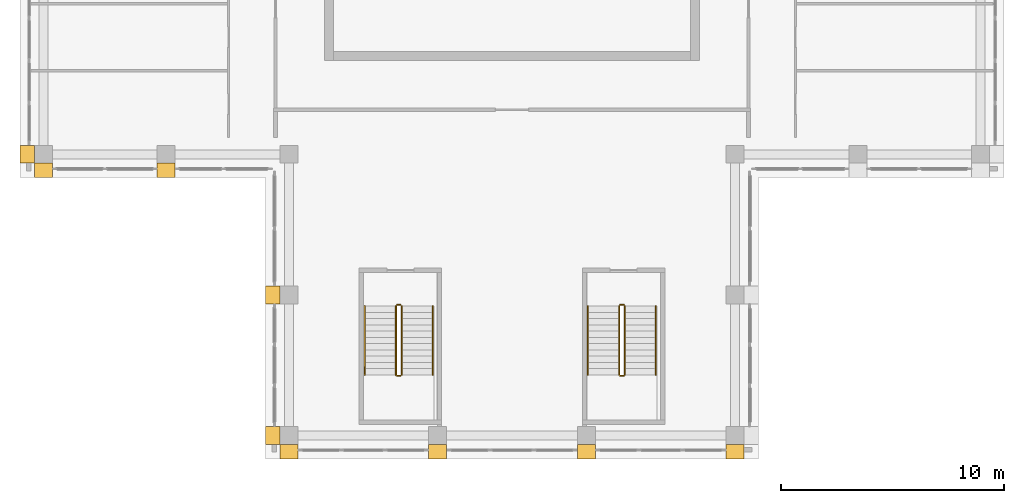
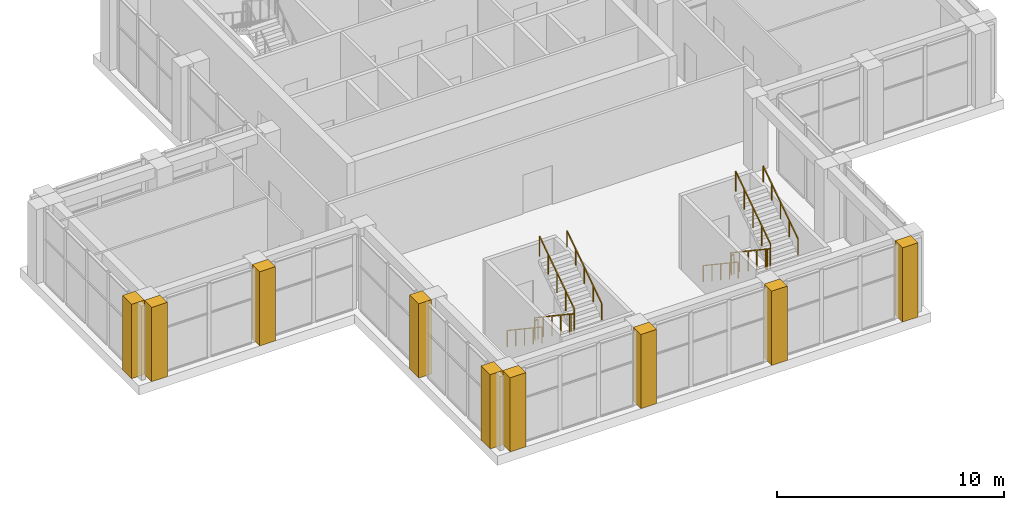
# One storey, part 12 of 14: 10 railings, 9 coverings.
"""IFC4 building model written with IfcOpenShell, lengths in metres."""

from ifc_helpers import new_model, si_unit, direction, frame, origin, origin_2d, place, context, subcontext, project, spatial, polyline, rectangle, outline, extrude, material, type_object, element, save


model = new_model("IFC4")

# Units and contexts
model_context = context("Model", 3, precision=1e-05, world=origin(), true_north=direction((0.0, 1.0)))
body_context = subcontext(model_context, "Body", "Model", "MODEL_VIEW")
ifc_project = project(units=[si_unit("LENGTHUNIT", "METRE"), si_unit("AREAUNIT", "SQUARE_METRE"), si_unit("VOLUMEUNIT", "CUBIC_METRE"), si_unit("PLANEANGLEUNIT", "RADIAN"), si_unit("MASSUNIT", "GRAM", prefix="KILO")], contexts=[model_context])

# Site, building, storey
site_placement = place(None, origin())
site = spatial("IfcSite", under=ifc_project, at=site_placement, CompositionType="ELEMENT")
building_placement = place(site_placement, origin())
building = spatial("IfcBuilding", under=site, at=building_placement, Name="Vermilion Ogive Tower", CompositionType="ELEMENT")
storey_placement = place(building_placement, frame((0.0, 0.0, 289.35009765625)))
storey = spatial("IfcBuildingStorey", under=building, at=storey_placement, Name="L75", CompositionType="ELEMENT", Elevation=289.35009765625)

# Railings
ifc_material_1 = material(Name="Steel S355 painted", Category="steel")
railing_type_1 = type_object("IfcRailingType", Name="Stair guard 1100", PredefinedType="GUARDRAIL", material=ifc_material_1)
railing_1_placement = place(storey_placement, frame((4.800048828125, -6.800048828125, 0.1875)))
element("IfcRailing", 1, at=railing_1_placement, inside=storey, type_object=railing_type_1, Name="L75 ST6 stair guard 1", PredefinedType="GUARDRAIL", context=body_context, shape_type="SweptSolid", body=[
    extrude(rectangle(XDim=0.048095703125, YDim=0.048095703125, at=origin_2d()), frame((0.0, 0.0, 1.076171875), z_axis=(0.0, -0.830893310487, 0.556431762742), x_axis=(1.0, 0.0, 0.0)), (0.0, 0.0, 1.0), 3.70654296875),
    extrude(rectangle(XDim=0.048095703125, YDim=0.048095703125, at=origin_2d()), frame((0.0, -3.079833984375, 3.138671875), z_axis=(0.707106781187, -0.707106781187, 0.0), x_axis=(0.707106781187, 0.707106781187, 0.0)), (0.0, 0.0, 1.0), 0.07080078125),
    extrude(rectangle(XDim=0.048095703125, YDim=0.048095703125, at=origin_2d()), frame((0.050048828125, -3.1298828125, 3.138671875), z_axis=(1.0, 0.0, 0.0), x_axis=(0.0, 1.0, 0.0)), (0.0, 0.0, 1.0), 0.14990234375),
    extrude(rectangle(XDim=0.0419921875, YDim=0.0419921875, at=origin_2d()), origin(), (0.0, 0.0, 1.0), 1.052001953125),
    extrude(rectangle(XDim=0.0419921875, YDim=0.0419921875, at=origin_2d()), frame((0.0, -0.77001953125, 0.515625)), (0.0, 0.0, 1.0), 1.052001953125),
    extrude(rectangle(XDim=0.0419921875, YDim=0.0419921875, at=origin_2d()), frame((0.0, -1.5400390625, 1.03125)), (0.0, 0.0, 1.0), 1.052001953125),
    extrude(rectangle(XDim=0.0419921875, YDim=0.0419921875, at=origin_2d()), frame((0.0, -2.309814453125, 1.546875)), (0.0, 0.0, 1.0), 1.052001953125),
    extrude(rectangle(XDim=0.0419921875, YDim=0.0419921875, at=origin_2d()), frame((0.0, -3.079833984375, 2.0625)), (0.0, 0.0, 1.0), 1.052001953125),
    extrude(rectangle(XDim=0.0419921875, YDim=0.0419921875, at=origin_2d()), frame((0.050048828125, -3.1298828125, 2.0625)), (0.0, 0.0, 1.0), 1.052001953125),
    extrude(rectangle(XDim=0.0419921875, YDim=0.0419921875, at=origin_2d()), frame((0.199951171875, -3.1298828125, 2.0625)), (0.0, 0.0, 1.0), 1.052001953125),
])
railing_2_placement = place(storey_placement, frame((5.050048828125, -9.8798828125, 2.4375)))
element("IfcRailing", 2, at=railing_2_placement, inside=storey, type_object=railing_type_1, Name="L75 ST6 stair guard 3", PredefinedType="GUARDRAIL", context=body_context, shape_type="SweptSolid", body=[
    extrude(rectangle(XDim=0.048095703125, YDim=0.048095703125, at=origin_2d()), frame((0.0, 0.0, 1.076171875), z_axis=(0.0, 0.830893310487, 0.556431762742), x_axis=(-1.0, 0.0, 0.0)), (0.0, 0.0, 1.0), 3.70654296875),
    extrude(rectangle(XDim=0.0419921875, YDim=0.0419921875, at=origin_2d()), origin(), (0.0, 0.0, 1.0), 1.052001953125),
    extrude(rectangle(XDim=0.0419921875, YDim=0.0419921875, at=origin_2d()), frame((0.0, 0.77001953125, 0.515625)), (0.0, 0.0, 1.0), 1.052001953125),
    extrude(rectangle(XDim=0.0419921875, YDim=0.0419921875, at=origin_2d()), frame((0.0, 1.5400390625, 1.03125)), (0.0, 0.0, 1.0), 1.052001953125),
    extrude(rectangle(XDim=0.0419921875, YDim=0.0419921875, at=origin_2d()), frame((0.0, 2.309814453125, 1.546875)), (0.0, 0.0, 1.0), 1.052001953125),
    extrude(rectangle(XDim=0.0419921875, YDim=0.0419921875, at=origin_2d()), frame((0.0, 3.079833984375, 2.0625)), (0.0, 0.0, 1.0), 1.052001953125),
])
railing_3_placement = place(storey_placement, frame((4.85009765625, -6.75, 0.0)))
element("IfcRailing", 3, at=railing_3_placement, inside=storey, type_object=railing_type_1, Name="L75 ST6 stair guard 4", PredefinedType="GUARDRAIL", context=body_context, shape_type="SweptSolid", body=[
    extrude(rectangle(XDim=0.048095703125, YDim=0.048095703125, at=origin_2d()), frame((0.0, 0.0, 1.076171875), z_axis=(1.0, 0.0, 0.0), x_axis=(0.0, 1.0, 0.0)), (0.0, 0.0, 1.0), 0.14990234375),
    extrude(rectangle(XDim=0.0419921875, YDim=0.0419921875, at=origin_2d()), origin(), (0.0, 0.0, 1.0), 1.052001953125),
    extrude(rectangle(XDim=0.0419921875, YDim=0.0419921875, at=origin_2d()), frame((0.14990234375, 0.0, 0.0)), (0.0, 0.0, 1.0), 1.052001953125),
])
railing_4_placement = place(storey_placement, frame((-5.199951171875, -6.800048828125, 0.1875)))
element("IfcRailing", 4, at=railing_4_placement, inside=storey, type_object=railing_type_1, Name="L75 ST7 stair guard 1", PredefinedType="GUARDRAIL", context=body_context, shape_type="SweptSolid", body=[
    extrude(rectangle(XDim=0.048095703125, YDim=0.048095703125, at=origin_2d()), frame((0.0, 0.0, 1.076171875), z_axis=(0.0, -0.830893310487, 0.556431762742), x_axis=(1.0, 0.0, 0.0)), (0.0, 0.0, 1.0), 3.70654296875),
    extrude(rectangle(XDim=0.048095703125, YDim=0.048095703125, at=origin_2d()), frame((0.0, -3.079833984375, 3.138671875), z_axis=(0.707106781187, -0.707106781187, 0.0), x_axis=(0.707106781187, 0.707106781187, 0.0)), (0.0, 0.0, 1.0), 0.07080078125),
    extrude(rectangle(XDim=0.048095703125, YDim=0.048095703125, at=origin_2d()), frame((0.050048828125, -3.1298828125, 3.138671875), z_axis=(1.0, 0.0, 0.0), x_axis=(0.0, 1.0, 0.0)), (0.0, 0.0, 1.0), 0.14990234375),
    extrude(rectangle(XDim=0.0419921875, YDim=0.0419921875, at=origin_2d()), origin(), (0.0, 0.0, 1.0), 1.052001953125),
    extrude(rectangle(XDim=0.0419921875, YDim=0.0419921875, at=origin_2d()), frame((0.0, -0.77001953125, 0.515625)), (0.0, 0.0, 1.0), 1.052001953125),
    extrude(rectangle(XDim=0.0419921875, YDim=0.0419921875, at=origin_2d()), frame((0.0, -1.5400390625, 1.03125)), (0.0, 0.0, 1.0), 1.052001953125),
    extrude(rectangle(XDim=0.0419921875, YDim=0.0419921875, at=origin_2d()), frame((0.0, -2.309814453125, 1.546875)), (0.0, 0.0, 1.0), 1.052001953125),
    extrude(rectangle(XDim=0.0419921875, YDim=0.0419921875, at=origin_2d()), frame((0.0, -3.079833984375, 2.0625)), (0.0, 0.0, 1.0), 1.052001953125),
    extrude(rectangle(XDim=0.0419921875, YDim=0.0419921875, at=origin_2d()), frame((0.050048828125, -3.1298828125, 2.0625)), (0.0, 0.0, 1.0), 1.052001953125),
    extrude(rectangle(XDim=0.0419921875, YDim=0.0419921875, at=origin_2d()), frame((0.199951171875, -3.1298828125, 2.0625)), (0.0, 0.0, 1.0), 1.052001953125),
])
railing_5_placement = place(storey_placement, frame((-4.949951171875, -9.8798828125, 2.4375)))
element("IfcRailing", 5, at=railing_5_placement, inside=storey, type_object=railing_type_1, Name="L75 ST7 stair guard 3", PredefinedType="GUARDRAIL", context=body_context, shape_type="SweptSolid", body=[
    extrude(rectangle(XDim=0.048095703125, YDim=0.048095703125, at=origin_2d()), frame((0.0, 0.0, 1.076171875), z_axis=(0.0, 0.830893310487, 0.556431762742), x_axis=(-1.0, 0.0, 0.0)), (0.0, 0.0, 1.0), 3.70654296875),
    extrude(rectangle(XDim=0.0419921875, YDim=0.0419921875, at=origin_2d()), origin(), (0.0, 0.0, 1.0), 1.052001953125),
    extrude(rectangle(XDim=0.0419921875, YDim=0.0419921875, at=origin_2d()), frame((0.0, 0.77001953125, 0.515625)), (0.0, 0.0, 1.0), 1.052001953125),
    extrude(rectangle(XDim=0.0419921875, YDim=0.0419921875, at=origin_2d()), frame((0.0, 1.5400390625, 1.03125)), (0.0, 0.0, 1.0), 1.052001953125),
    extrude(rectangle(XDim=0.0419921875, YDim=0.0419921875, at=origin_2d()), frame((0.0, 2.309814453125, 1.546875)), (0.0, 0.0, 1.0), 1.052001953125),
    extrude(rectangle(XDim=0.0419921875, YDim=0.0419921875, at=origin_2d()), frame((0.0, 3.079833984375, 2.0625)), (0.0, 0.0, 1.0), 1.052001953125),
])
railing_6_placement = place(storey_placement, frame((-5.14990234375, -6.75, 0.0)))
element("IfcRailing", 6, at=railing_6_placement, inside=storey, type_object=railing_type_1, Name="L75 ST7 stair guard 4", PredefinedType="GUARDRAIL", context=body_context, shape_type="SweptSolid", body=[
    extrude(rectangle(XDim=0.048095703125, YDim=0.048095703125, at=origin_2d()), frame((0.0, 0.0, 1.076171875), z_axis=(1.0, 0.0, 0.0), x_axis=(0.0, 1.0, 0.0)), (0.0, 0.0, 1.0), 0.14990234375),
    extrude(rectangle(XDim=0.0419921875, YDim=0.0419921875, at=origin_2d()), origin(), (0.0, 0.0, 1.0), 1.052001953125),
    extrude(rectangle(XDim=0.0419921875, YDim=0.0419921875, at=origin_2d()), frame((0.14990234375, 0.0, 0.0)), (0.0, 0.0, 1.0), 1.052001953125),
])
ifc_material_2 = material(Name="Stainless steel", Category="steel")
railing_type_2 = type_object("IfcRailingType", Name="Stair handrail 900", PredefinedType="HANDRAIL", material=ifc_material_2)
railing_7_placement = place(storey_placement, frame((3.39990234375, -6.800048828125, 0.1875)))
element("IfcRailing", 7, at=railing_7_placement, inside=storey, type_object=railing_type_2, Name="L75 ST6 stair handrail 1", PredefinedType="HANDRAIL", context=body_context, shape_type="SweptSolid", body=[
    extrude(rectangle(XDim=0.048095703125, YDim=0.048095703125, at=origin_2d()), frame((0.0, 0.0, 0.8759765625), z_axis=(0.0, -0.830893310487, 0.556431762742), x_axis=(1.0, 0.0, 0.0)), (0.0, 0.0, 1.0), 3.70654296875),
    extrude(rectangle(XDim=0.0419921875, YDim=0.0419921875, at=origin_2d()), origin(), (0.0, 0.0, 1.0), 0.851806640625),
    extrude(rectangle(XDim=0.0419921875, YDim=0.0419921875, at=origin_2d()), frame((0.0, -0.77001953125, 0.515625)), (0.0, 0.0, 1.0), 0.851806640625),
    extrude(rectangle(XDim=0.0419921875, YDim=0.0419921875, at=origin_2d()), frame((0.0, -1.5400390625, 1.03125)), (0.0, 0.0, 1.0), 0.851806640625),
    extrude(rectangle(XDim=0.0419921875, YDim=0.0419921875, at=origin_2d()), frame((0.0, -2.309814453125, 1.546875)), (0.0, 0.0, 1.0), 0.851806640625),
    extrude(rectangle(XDim=0.0419921875, YDim=0.0419921875, at=origin_2d()), frame((0.0, -3.079833984375, 2.0625)), (0.0, 0.0, 1.0), 0.851806640625),
])
railing_8_placement = place(storey_placement, frame((6.449951171875, -9.8798828125, 2.4375)))
element("IfcRailing", 8, at=railing_8_placement, inside=storey, type_object=railing_type_2, Name="L75 ST6 stair handrail 2", PredefinedType="HANDRAIL", context=body_context, shape_type="SweptSolid", body=[
    extrude(rectangle(XDim=0.048095703125, YDim=0.048095703125, at=origin_2d()), frame((0.0, 0.0, 0.8759765625), z_axis=(0.0, 0.830893310487, 0.556431762742), x_axis=(-1.0, 0.0, 0.0)), (0.0, 0.0, 1.0), 3.70654296875),
    extrude(rectangle(XDim=0.0419921875, YDim=0.0419921875, at=origin_2d()), origin(), (0.0, 0.0, 1.0), 0.851806640625),
    extrude(rectangle(XDim=0.0419921875, YDim=0.0419921875, at=origin_2d()), frame((0.0, 0.77001953125, 0.515625)), (0.0, 0.0, 1.0), 0.851806640625),
    extrude(rectangle(XDim=0.0419921875, YDim=0.0419921875, at=origin_2d()), frame((0.0, 1.5400390625, 1.03125)), (0.0, 0.0, 1.0), 0.851806640625),
    extrude(rectangle(XDim=0.0419921875, YDim=0.0419921875, at=origin_2d()), frame((0.0, 2.309814453125, 1.546875)), (0.0, 0.0, 1.0), 0.851806640625),
    extrude(rectangle(XDim=0.0419921875, YDim=0.0419921875, at=origin_2d()), frame((0.0, 3.079833984375, 2.0625)), (0.0, 0.0, 1.0), 0.851806640625),
])
railing_9_placement = place(storey_placement, frame((-6.60009765625, -6.800048828125, 0.1875)))
element("IfcRailing", 9, at=railing_9_placement, inside=storey, type_object=railing_type_2, Name="L75 ST7 stair handrail 1", PredefinedType="HANDRAIL", context=body_context, shape_type="SweptSolid", body=[
    extrude(rectangle(XDim=0.048095703125, YDim=0.048095703125, at=origin_2d()), frame((0.0, 0.0, 0.8759765625), z_axis=(0.0, -0.830893310487, 0.556431762742), x_axis=(1.0, 0.0, 0.0)), (0.0, 0.0, 1.0), 3.70654296875),
    extrude(rectangle(XDim=0.0419921875, YDim=0.0419921875, at=origin_2d()), origin(), (0.0, 0.0, 1.0), 0.851806640625),
    extrude(rectangle(XDim=0.0419921875, YDim=0.0419921875, at=origin_2d()), frame((0.0, -0.77001953125, 0.515625)), (0.0, 0.0, 1.0), 0.851806640625),
    extrude(rectangle(XDim=0.0419921875, YDim=0.0419921875, at=origin_2d()), frame((0.0, -1.5400390625, 1.03125)), (0.0, 0.0, 1.0), 0.851806640625),
    extrude(rectangle(XDim=0.0419921875, YDim=0.0419921875, at=origin_2d()), frame((0.0, -2.309814453125, 1.546875)), (0.0, 0.0, 1.0), 0.851806640625),
    extrude(rectangle(XDim=0.0419921875, YDim=0.0419921875, at=origin_2d()), frame((0.0, -3.079833984375, 2.0625)), (0.0, 0.0, 1.0), 0.851806640625),
])
railing_10_placement = place(storey_placement, frame((-3.550048828125, -9.8798828125, 2.4375)))
element("IfcRailing", 10, at=railing_10_placement, inside=storey, type_object=railing_type_2, Name="L75 ST7 stair handrail 2", PredefinedType="HANDRAIL", context=body_context, shape_type="SweptSolid", body=[
    extrude(rectangle(XDim=0.048095703125, YDim=0.048095703125, at=origin_2d()), frame((0.0, 0.0, 0.8759765625), z_axis=(0.0, 0.830893310487, 0.556431762742), x_axis=(-1.0, 0.0, 0.0)), (0.0, 0.0, 1.0), 3.70654296875),
    extrude(rectangle(XDim=0.0419921875, YDim=0.0419921875, at=origin_2d()), origin(), (0.0, 0.0, 1.0), 0.851806640625),
    extrude(rectangle(XDim=0.0419921875, YDim=0.0419921875, at=origin_2d()), frame((0.0, 0.77001953125, 0.515625)), (0.0, 0.0, 1.0), 0.851806640625),
    extrude(rectangle(XDim=0.0419921875, YDim=0.0419921875, at=origin_2d()), frame((0.0, 1.5400390625, 1.03125)), (0.0, 0.0, 1.0), 0.851806640625),
    extrude(rectangle(XDim=0.0419921875, YDim=0.0419921875, at=origin_2d()), frame((0.0, 2.309814453125, 1.546875)), (0.0, 0.0, 1.0), 0.851806640625),
    extrude(rectangle(XDim=0.0419921875, YDim=0.0419921875, at=origin_2d()), frame((0.0, 3.079833984375, 2.0625)), (0.0, 0.0, 1.0), 0.851806640625),
])

# Coverings
ifc_material_3 = material(Name="Stone cladding", Category="masonry")
covering_type = type_object("IfcCoveringType", Name="Stone pier", PredefinedType="CLADDING", material=ifc_material_3)
covering_1_placement = place(storey_placement, origin())
element("IfcCovering", 11, at=covering_1_placement, inside=storey, type_object=covering_type, Name="Stone pier P+0033-126", PredefinedType="CLADDING", context=body_context, shape_type="SweptSolid", body=[
    extrude(outline(polyline([(3.7333984375, -13.0), (3.7333984375, -13.64990234375), (2.933349609375, -13.64990234375), (2.933349609375, -13.0), (2.933349609375, -13.0), (3.7333984375, -13.0)])), origin(), (0.0, 0.0, 1.0), 4.0),
])
covering_2_placement = place(storey_placement, origin())
element("IfcCovering", 12, at=covering_2_placement, inside=storey, type_object=covering_type, Name="Stone pier P+0100-126S", PredefinedType="CLADDING", context=body_context, shape_type="SweptSolid", body=[
    extrude(outline(polyline([(10.39990234375, -13.64990234375), (9.60009765625, -13.64990234375), (9.60009765625, -13.0), (10.39990234375, -13.0), (10.39990234375, -13.64990234375)])), origin(), (0.0, 0.0, 1.0), 4.0),
])
covering_3_placement = place(storey_placement, origin())
element("IfcCovering", 13, at=covering_3_placement, inside=storey, type_object=covering_type, Name="Stone pier P-0033-126", PredefinedType="CLADDING", context=body_context, shape_type="SweptSolid", body=[
    extrude(outline(polyline([(-2.933349609375, -13.0), (-2.933349609375, -13.64990234375), (-3.7333984375, -13.64990234375), (-3.7333984375, -13.0), (-2.933349609375, -13.0), (-2.933349609375, -13.0)])), origin(), (0.0, 0.0, 1.0), 4.0),
])
covering_4_placement = place(storey_placement, origin())
element("IfcCovering", 14, at=covering_4_placement, inside=storey, type_object=covering_type, Name="Stone pier P-0100-063", PredefinedType="CLADDING", context=body_context, shape_type="SweptSolid", body=[
    extrude(outline(polyline([(-11.050048828125, -6.699951171875), (-11.050048828125, -5.89990234375), (-10.39990234375, -5.89990234375), (-10.39990234375, -6.699951171875), (-11.050048828125, -6.699951171875)])), origin(), (0.0, 0.0, 1.0), 4.0),
])
covering_5_placement = place(storey_placement, origin())
element("IfcCovering", 15, at=covering_5_placement, inside=storey, type_object=covering_type, Name="Stone pier P-0100-126S", PredefinedType="CLADDING", context=body_context, shape_type="SweptSolid", body=[
    extrude(outline(polyline([(-9.60009765625, -13.64990234375), (-10.39990234375, -13.64990234375), (-10.39990234375, -13.0), (-9.60009765625, -13.0), (-9.60009765625, -13.64990234375)])), origin(), (0.0, 0.0, 1.0), 4.0),
])
covering_6_placement = place(storey_placement, origin())
element("IfcCovering", 16, at=covering_6_placement, inside=storey, type_object=covering_type, Name="Stone pier P-0100-126X8", PredefinedType="CLADDING", context=body_context, shape_type="SweptSolid", body=[
    extrude(outline(polyline([(-11.050048828125, -12.199951171875), (-10.39990234375, -12.199951171875), (-10.39990234375, -13.0), (-11.050048828125, -13.0), (-11.050048828125, -12.199951171875)])), origin(), (0.0, 0.0, 1.0), 4.0),
])
covering_7_placement = place(storey_placement, origin())
element("IfcCovering", 17, at=covering_7_placement, inside=storey, type_object=covering_type, Name="Stone pier P-0155+000", PredefinedType="CLADDING", context=body_context, shape_type="SweptSolid", body=[
    extrude(outline(polyline([(-15.10009765625, -1.050048828125), (-15.89990234375, -1.050048828125), (-15.89990234375, -0.39990234375), (-15.10009765625, -0.39990234375), (-15.10009765625, -1.050048828125)])), origin(), (0.0, 0.0, 1.0), 4.0),
])
covering_8_placement = place(storey_placement, origin())
element("IfcCovering", 18, at=covering_8_placement, inside=storey, type_object=covering_type, Name="Stone pier P-0210+000W", PredefinedType="CLADDING", context=body_context, shape_type="SweptSolid", body=[
    extrude(outline(polyline([(-21.39990234375, -0.39990234375), (-21.39990234375, -0.39990234375), (-22.050048828125, -0.39990234375), (-22.050048828125, 0.39990234375), (-21.39990234375, 0.39990234375), (-21.39990234375, 0.39990234375), (-21.39990234375, -0.39990234375)])), origin(), (0.0, 0.0, 1.0), 4.0),
])
covering_9_placement = place(storey_placement, origin())
element("IfcCovering", 19, at=covering_9_placement, inside=storey, type_object=covering_type, Name="Stone pier P-0210+000X7", PredefinedType="CLADDING", context=body_context, shape_type="SweptSolid", body=[
    extrude(outline(polyline([(-21.39990234375, -1.050048828125), (-21.39990234375, -0.39990234375), (-21.39990234375, -0.39990234375), (-20.60009765625, -0.39990234375), (-20.60009765625, -1.050048828125), (-21.39990234375, -1.050048828125)])), origin(), (0.0, 0.0, 1.0), 4.0),
])

save(model, "model.ifc")
